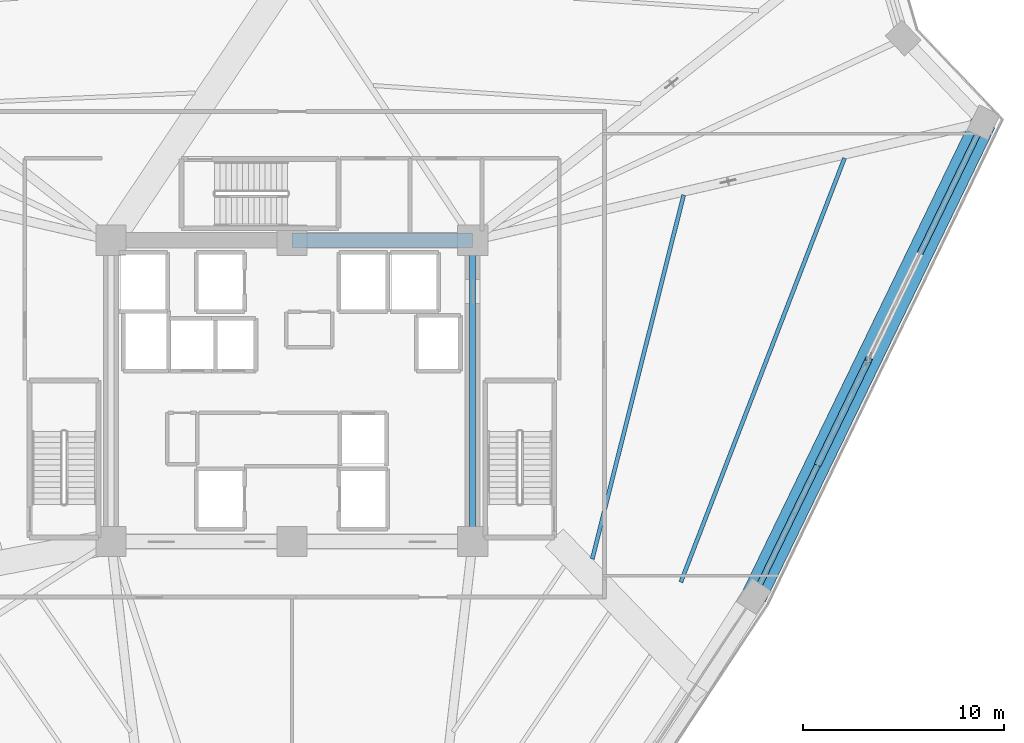
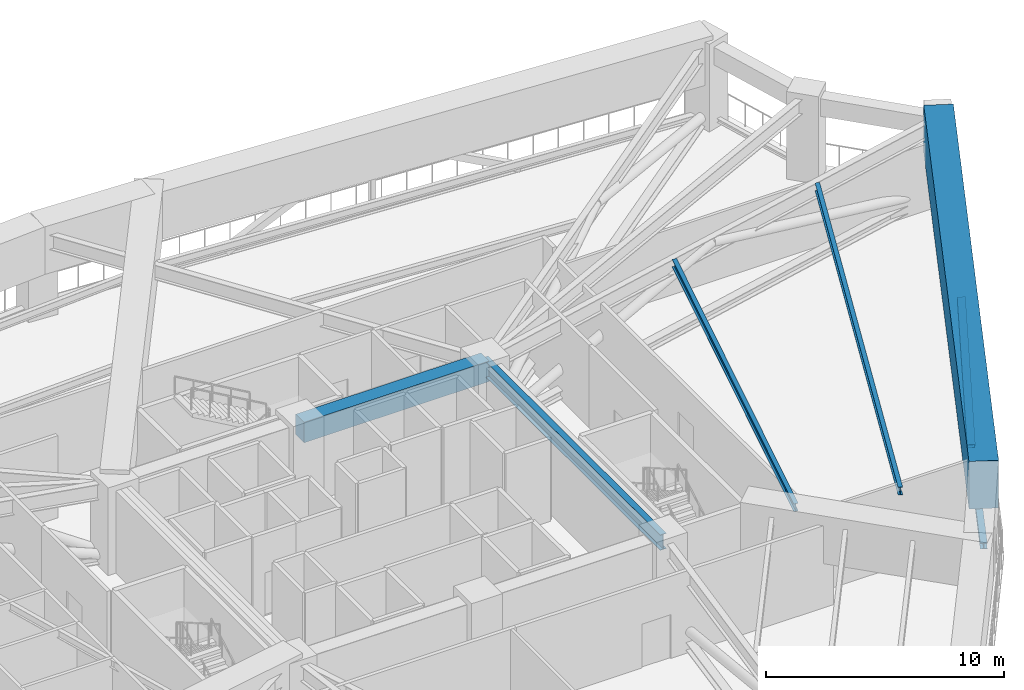
# One storey, part 8 of 27: 5 beams, 2 members.
"""IFC4 building model written with IfcOpenShell, lengths in metres."""

from ifc_helpers import new_model, si_unit, direction, frame, origin, origin_2d, place, context, subcontext, project, spatial, rectangle, hollow_rectangle, i_section, extrude, source, transform, mapped, material, material_profile, profile_set, type_object, element, save


model = new_model("IFC4")

# Units and contexts
model_context = context("Model", 3, precision=1e-05, world=origin(), true_north=direction((0.0, 1.0)))
body_context = subcontext(model_context, "Body", "Model", "MODEL_VIEW")
ifc_project = project(units=[si_unit("LENGTHUNIT", "METRE"), si_unit("AREAUNIT", "SQUARE_METRE"), si_unit("VOLUMEUNIT", "CUBIC_METRE"), si_unit("PLANEANGLEUNIT", "RADIAN"), si_unit("MASSUNIT", "GRAM", prefix="KILO")], contexts=[model_context])

# Site, building, storey
site_placement = place(None, origin())
site = spatial("IfcSite", under=ifc_project, at=site_placement, CompositionType="ELEMENT")
building_placement = place(site_placement, origin())
building = spatial("IfcBuilding", under=site, at=building_placement, Name="Liaohun Quay Tower", CompositionType="ELEMENT")
storey_placement = place(building_placement, frame((0.0, 0.0, 185.25)))
storey = spatial("IfcBuildingStorey", under=building, at=storey_placement, Name="L48", CompositionType="ELEMENT", Elevation=185.25)

# Beams
ifc_material_1 = material(Name="Concrete C60", Category="concrete")
ifc_material_profile_1 = material_profile(ifc_material_1, rectangle(XDim=0.699951171875, YDim=1.050048828125, at=origin_2d()), Name="RC700x1050")
ifc_profile_set_1 = profile_set([ifc_material_profile_1], Name="Concrete C60")
beam_type_1 = type_object("IfcBeamType", Name="BM-CPL-1", PredefinedType="LINTEL", material=ifc_profile_set_1)
shared_shape_1 = source(origin(), body_context, "Body", "SweptSolid", [
    extrude(rectangle(XDim=0.699951171875, YDim=1.050048828125, at=origin_2d()), origin(), (0.0, 0.0, 1.0), 9.0),
])
beam_1_placement = place(storey_placement, frame((69.0, 61.5, 3.695068359375), z_axis=(-1.0, 0.0, 0.0), x_axis=(0.0, -1.0, 0.0)))
element("IfcBeam", 1, at=beam_1_placement, inside=storey, type_object=beam_type_1, Name="L48 Core Coupling/Ring Beam CC4-CC5", PredefinedType="LINTEL", context=body_context, shape_type="MappedRepresentation", body=[
    mapped(shared_shape_1, transform((0.0, 0.0, 0.0), x_axis=(1.0, 0.0, 0.0), y_axis=(0.0, 1.0, 0.0), z_axis=(0.0, 0.0, 1.0), scale=1.0)),
])
ifc_material_2 = material(Name="Steel Q355D", Category="steel")
ifc_material_profile_2 = material_profile(ifc_material_2, i_section(OverallWidth=0.300048828125, OverallDepth=0.800048828125, WebThickness=0.013916015625, FlangeThickness=0.02587890625, at=origin_2d()), Name="HN800x300x14x26")
ifc_profile_set_2 = profile_set([ifc_material_profile_2], Name="Steel Q355D")
beam_type_2 = type_object("IfcBeamType", Name="BM-RAD-M1", PredefinedType="BEAM", material=ifc_profile_set_2)
shared_shape_2 = source(origin(), body_context, "Body", "SweptSolid", [
    extrude(i_section(OverallWidth=0.300048828125, OverallDepth=0.800048828125, WebThickness=0.013916015625, FlangeThickness=0.02587890625, at=origin_2d()), origin(), (0.0, 0.0, 1.0), 15.0),
])
beam_2_placement = place(storey_placement, frame((69.0, 46.5, 3.820068359375), z_axis=(0.0, 1.0, 0.0), x_axis=(-1.0, 0.0, 0.0)))
element("IfcBeam", 2, at=beam_2_placement, inside=storey, type_object=beam_type_2, Name="L48 Core Coupling/Ring Beam CC3-CC4", PredefinedType="BEAM", context=body_context, shape_type="MappedRepresentation", body=[
    mapped(shared_shape_2, transform((0.0, 0.0, 0.0), x_axis=(1.0, 0.0, 0.0), y_axis=(0.0, 1.0, 0.0), z_axis=(0.0, 0.0, 1.0), scale=1.0)),
])
ifc_material_profile_3 = material_profile(ifc_material_1, rectangle(XDim=1.25, YDim=2.449951171875, at=origin_2d()), Name="RC1250x2450")
ifc_profile_set_3 = profile_set([ifc_material_profile_3], Name="Concrete C60")
beam_type_3 = type_object("IfcBeamType", Name="BM-TRF-1", PredefinedType="BEAM", material=ifc_profile_set_3)
shared_shape_3 = source(origin(), body_context, "Body", "SweptSolid", [
    extrude(rectangle(XDim=1.25, YDim=2.449951171875, at=origin_2d()), origin(), (0.0, 0.0, 1.0), 26.211181640625),
])
beam_3_placement = place(storey_placement, frame((94.425048828125, 67.364990234375, 3.5), z_axis=(-0.435810216179, -0.900038585547, 0.0), x_axis=(0.900038585547, -0.435810216179, 0.0)))
element("IfcBeam", 3, at=beam_3_placement, inside=storey, type_object=beam_type_3, Name="L48 Zone-Break Transfer Spandrel PC09-PC10", PredefinedType="BEAM", context=body_context, shape_type="MappedRepresentation", body=[
    mapped(shared_shape_3, transform((0.0, 0.0, 0.0), x_axis=(1.0, 0.0, 0.0), y_axis=(0.0, 1.0, 0.0), z_axis=(0.0, 0.0, 1.0), scale=1.0)),
])
ifc_material_profile_4 = material_profile(ifc_material_2, i_section(OverallWidth=0.199951171875, OverallDepth=0.39990234375, WebThickness=0.008056640625, FlangeThickness=0.012939453125, at=origin_2d()), Name="HN400x200x8x13")
ifc_profile_set_4 = profile_set([ifc_material_profile_4], Name="Steel Q355D")
beam_type_4 = type_object("IfcBeamType", Name="BM-SEC-J2", PredefinedType="JOIST", material=ifc_profile_set_4)
shared_shape_4 = source(origin(), body_context, "Body", "SweptSolid", [
    extrude(i_section(OverallWidth=0.199951171875, OverallDepth=0.39990234375, WebThickness=0.008056640625, FlangeThickness=0.012939453125, at=origin_2d()), origin(), (0.0, 0.0, 1.0), 18.67333984375),
])
beam_4_placement = place(storey_placement, frame((79.5, 63.75, 4.02001953125), z_axis=(-0.243559894466, -0.969885858134, 0.0), x_axis=(0.969885858134, -0.243559894466, 0.0)))
element("IfcBeam", 4, at=beam_4_placement, inside=storey, type_object=beam_type_4, Name="L48 Wing Secondary Floor Joist SJ-10", PredefinedType="JOIST", context=body_context, shape_type="MappedRepresentation", body=[
    mapped(shared_shape_4, transform((0.0, 0.0, 0.0), x_axis=(1.0, 0.0, 0.0), y_axis=(0.0, 1.0, 0.0), z_axis=(0.0, 0.0, 1.0), scale=1.0)),
])
shared_shape_5 = source(origin(), body_context, "Body", "SweptSolid", [
    extrude(i_section(OverallWidth=0.199951171875, OverallDepth=0.39990234375, WebThickness=0.008056640625, FlangeThickness=0.012939453125, at=origin_2d()), origin(), (0.0, 0.0, 1.0), 22.618896484375),
])
beam_5_placement = place(storey_placement, frame((87.507080078125, 65.583984375, 4.02001953125), z_axis=(-0.360141847183, -0.932897555956, 0.0), x_axis=(0.932897555956, -0.360141847183, 0.0)))
element("IfcBeam", 5, at=beam_5_placement, inside=storey, type_object=beam_type_4, Name="L48 Wing Secondary Floor Joist SJ-11", PredefinedType="JOIST", context=body_context, shape_type="MappedRepresentation", body=[
    mapped(shared_shape_5, transform((0.0, 0.0, 0.0), x_axis=(1.0, 0.0, 0.0), y_axis=(0.0, 1.0, 0.0), z_axis=(0.0, 0.0, 1.0), scale=1.0)),
])

# Members
ifc_material_profile_5 = material_profile(ifc_material_2, i_section(OverallWidth=0.300048828125, OverallDepth=0.300048828125, WebThickness=0.010009765625, FlangeThickness=0.014892578125, at=origin_2d()), Name="HW300x300x10x15")
ifc_profile_set_5 = profile_set([ifc_material_profile_5], Name="Steel Q355D")
member_type_1 = type_object("IfcMemberType", Name="MEM-BLT-CHD", PredefinedType="CHORD", material=ifc_profile_set_5)
shared_shape_6 = source(origin(), body_context, "Body", "SweptSolid", [
    extrude(i_section(OverallWidth=0.300048828125, OverallDepth=0.300048828125, WebThickness=0.010009765625, FlangeThickness=0.014892578125, at=origin_2d()), origin(), (0.0, 0.0, 1.0), 26.211181640625),
])
member_1_placement = place(storey_placement, frame((94.425048828125, 67.364990234375, 0.35009765625), z_axis=(-0.435810216179, -0.900038585547, 0.0), x_axis=(0.900038585547, -0.435810216179, 0.0)))
element("IfcMember", 6, at=member_1_placement, inside=storey, type_object=member_type_1, Name="L48 Belt Truss Bottom Chord BC-1-05", PredefinedType="CHORD", context=body_context, shape_type="MappedRepresentation", body=[
    mapped(shared_shape_6, transform((0.0, 0.0, 0.0), x_axis=(1.0, 0.0, 0.0), y_axis=(0.0, 1.0, 0.0), z_axis=(0.0, 0.0, 1.0), scale=1.0)),
])
ifc_material_profile_6 = material_profile(ifc_material_2, hollow_rectangle(XDim=0.35009765625, YDim=0.35009765625, WallThickness=0.01611328125, at=origin_2d()), Name="SHS350x350x16")
ifc_profile_set_6 = profile_set([ifc_material_profile_6], Name="Steel Q355D")
member_type_2 = type_object("IfcMemberType", Name="MEM-BLT-DG2", PredefinedType="BRACE", material=ifc_profile_set_6)
shared_shape_7 = source(origin(), body_context, "Body", "SweptSolid", [
    extrude(hollow_rectangle(XDim=0.35009765625, YDim=0.35009765625, WallThickness=0.01611328125, at=origin_2d()), origin(), (0.0, 0.0, 1.0), 6.781982421875),
])
member_2_placement = place(storey_placement, frame((88.712890625, 55.569091796875, 3.919921875), z_axis=(-0.370526661439, -0.765279927672, -0.526361686929), x_axis=(0.900053202475, -0.435780027898, 0.0)))
element("IfcMember", 7, at=member_2_placement, inside=storey, type_object=member_type_2, Name="L48 Belt Truss Diagonal BD-05B", PredefinedType="BRACE", context=body_context, shape_type="MappedRepresentation", body=[
    mapped(shared_shape_7, transform((0.0, 0.0, 0.0), x_axis=(1.0, 0.0, 0.0), y_axis=(0.0, 1.0, 0.0), z_axis=(0.0, 0.0, 1.0), scale=1.0)),
])

save(model, "model.ifc")
